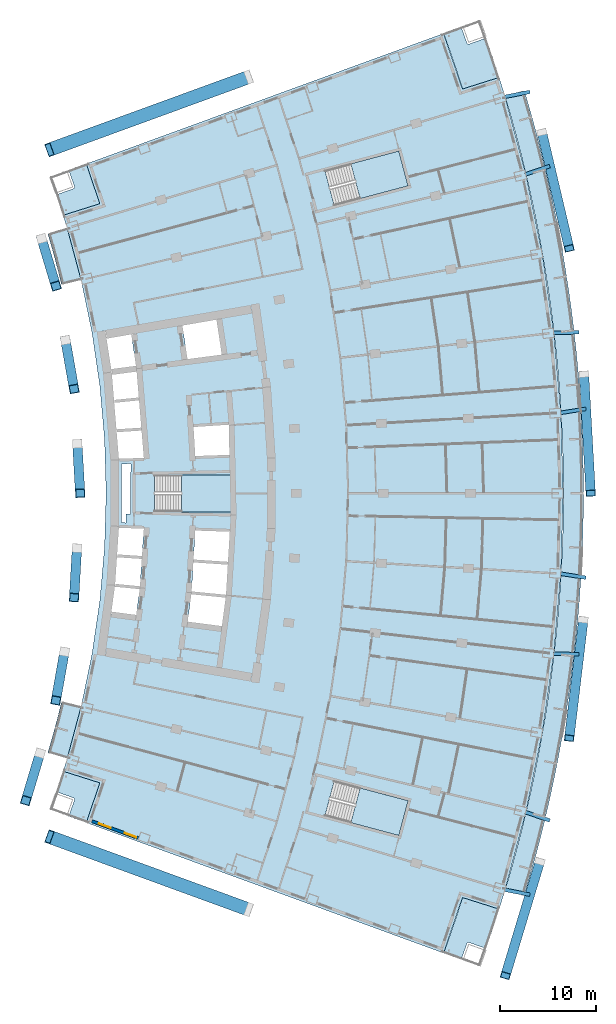
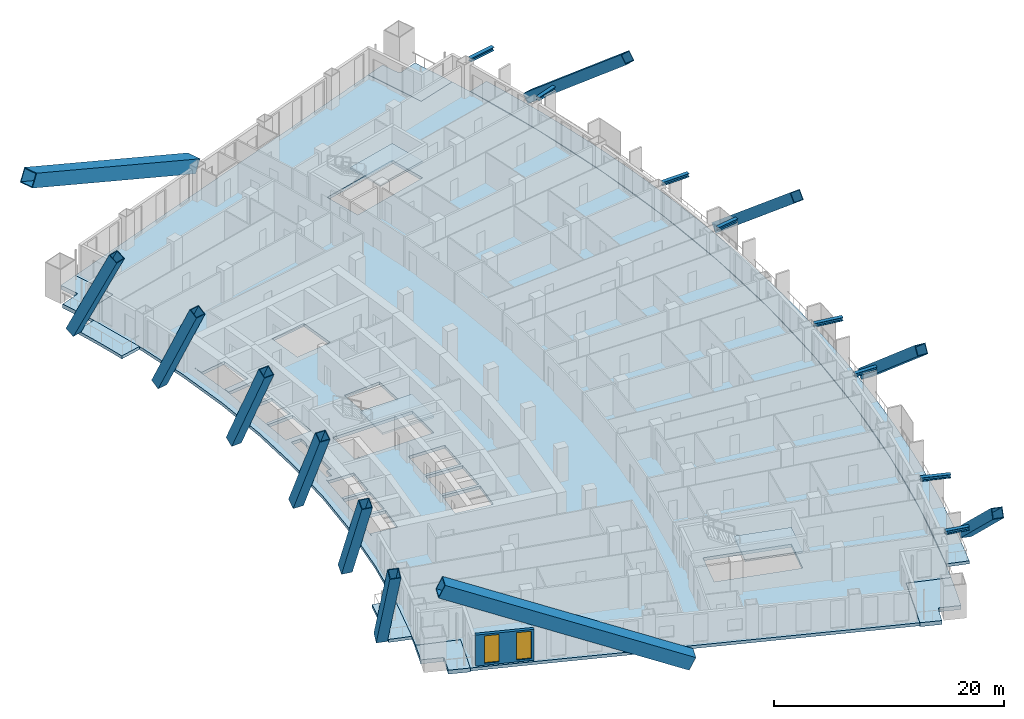
# One storey, part 12 of 25: 20 members, 11 slabs, 2 windows, 1 wall, 2 openings, 3 elements without a shape of their own.
"""IFC4 building model written with IfcOpenShell, lengths in metres."""

from ifc_helpers import new_model, si_unit, direction, frame, frame_2d, origin, origin_2d, place, context, subcontext, project, spatial, polyline, rectangle, hollow_rectangle, i_section, outline, extrude, material, layer, layer_set, material_profile, profile_set, type_object, element, fill, aggregate, save


model = new_model("IFC4")

# Units and contexts
model_context = context("Model", 3, precision=1e-05, world=origin(), true_north=direction((0.0, 1.0)))
body_context = subcontext(model_context, "Body", "Model", "MODEL_VIEW")
ifc_project = project(units=[si_unit("LENGTHUNIT", "METRE"), si_unit("AREAUNIT", "SQUARE_METRE"), si_unit("VOLUMEUNIT", "CUBIC_METRE"), si_unit("PLANEANGLEUNIT", "RADIAN"), si_unit("MASSUNIT", "GRAM", prefix="KILO")], contexts=[model_context])

# Site, building, storey
site_placement = place(None, origin())
site = spatial("IfcSite", under=ifc_project, at=site_placement, CompositionType="ELEMENT")
building_placement = place(site_placement, origin())
building = spatial("IfcBuilding", under=site, at=building_placement, Name="Alderwake Tower", CompositionType="ELEMENT")
storey_placement = place(building_placement, frame((0.0, 0.0, 42.800048828125)))
storey = spatial("IfcBuildingStorey", under=building, at=storey_placement, Name="L09", CompositionType="ELEMENT", Elevation=42.800048828125)

# Members
ifc_material_1 = material(Name="Steel ASTM A992 Grade 50", Category="steel")
ifc_material_profile_1 = material_profile(ifc_material_1, i_section(OverallWidth=0.3740234375, OverallDepth=0.372314453125, WebThickness=0.016357421875, FlangeThickness=0.026123046875, at=origin_2d()), Name="W14X132")
ifc_profile_set_1 = profile_set([ifc_material_profile_1], Name="Steel ASTM A992 Grade 50")
member_type_1 = type_object("IfcMemberType", Name="Brace node stub W14X132", PredefinedType="MEMBER", material=ifc_profile_set_1)
member_1_placement = place(storey_placement, frame((59.6591796875, 27.8046875, 3.393798828125), z_axis=(0.945492983094, -0.325642471001, 0.0), x_axis=(0.325642471001, 0.945492983094, 0.0)))
element("IfcMember", 1, at=member_1_placement, inside=storey, type_object=member_type_1, Name="Brace node stub BS.FR03-C5.464", PredefinedType="MEMBER", context=body_context, shape_type="SweptSolid", body=[
    extrude(i_section(OverallWidth=0.3740234375, OverallDepth=0.372314453125, WebThickness=0.016357421875, FlangeThickness=0.026123046875, at=origin_2d()), origin(), (0.0, 0.0, 1.0), 2.679443359375),
])
member_2_placement = place(storey_placement, frame((57.48828125, 19.725830078125, 3.393798828125), z_axis=(0.981364651517, -0.192154679236, 0.0), x_axis=(0.192154679236, 0.981364651517, 0.0)))
element("IfcMember", 2, at=member_2_placement, inside=storey, type_object=member_type_1, Name="Brace node stub BS.FR02-C5.464", PredefinedType="MEMBER", context=body_context, shape_type="SweptSolid", body=[
    extrude(i_section(OverallWidth=0.3740234375, OverallDepth=0.372314453125, WebThickness=0.016357421875, FlangeThickness=0.026123046875, at=origin_2d()), origin(), (0.0, 0.0, 1.0), 2.6796875),
])
for number, where, z_axis, x_axis, name in (
    (3, (63.3056640625, 52.62744140625, 3.393798828125), (0.98775927127, -0.155985967384, 0.0), (0.155985967384, 0.98775927127, 0.0), "Brace node stub BS.FR06-C5.464"),
    (4, (62.57470703125, 44.294189453125, 3.393798828125), (0.999830600697, -0.018405703212, 0.0), (0.018405703212, 0.999830600697, 0.0), "Brace node stub BS.FR05-C5.464"),
    (5, (62.57470703125, 77.705810546875, 3.393798828125), (0.999830600697, 0.018405703212, 0.0), (-0.018405703212, 0.999830600697, 0.0), "Brace node stub BS.FR09-C5.464"),
    (6, (63.3056640625, 69.37255859375, 3.393798828125), (0.98775927127, 0.155985967384, 0.0), (-0.155985967384, 0.98775927127, 0.0), "Brace node stub BS.FR08-C5.464"),
):
    element("IfcMember", number, at=place(storey_placement, frame(where, z_axis=z_axis, x_axis=x_axis)), inside=storey, type_object=member_type_1, Name=name, PredefinedType="MEMBER", context=body_context, shape_type="SweptSolid", body=[
        extrude(i_section(OverallWidth=0.3740234375, OverallDepth=0.372314453125, WebThickness=0.016357421875, FlangeThickness=0.026123046875, at=origin_2d()), origin(), (0.0, 0.0, 1.0), 2.679443359375),
    ])
member_3_placement = place(storey_placement, frame((57.48828125, 102.274169921875, 3.393798828125), z_axis=(0.981364651517, 0.192154679236, 0.0), x_axis=(-0.192154679236, 0.981364651517, 0.0)))
element("IfcMember", 7, at=member_3_placement, inside=storey, type_object=member_type_1, Name="Brace node stub BS.FR12-C5.464", PredefinedType="MEMBER", context=body_context, shape_type="SweptSolid", body=[
    extrude(i_section(OverallWidth=0.3740234375, OverallDepth=0.372314453125, WebThickness=0.016357421875, FlangeThickness=0.026123046875, at=origin_2d()), origin(), (0.0, 0.0, 1.0), 2.6796875),
])
member_4_placement = place(storey_placement, frame((59.6591796875, 94.1953125, 3.393798828125), z_axis=(0.945492983094, 0.325642471001, 0.0), x_axis=(-0.325642471001, 0.945492983094, 0.0)))
element("IfcMember", 8, at=member_4_placement, inside=storey, type_object=member_type_1, Name="Brace node stub BS.FR11-C5.464", PredefinedType="MEMBER", context=body_context, shape_type="SweptSolid", body=[
    extrude(i_section(OverallWidth=0.3740234375, OverallDepth=0.372314453125, WebThickness=0.016357421875, FlangeThickness=0.026123046875, at=origin_2d()), origin(), (0.0, 0.0, 1.0), 2.679443359375),
])
ifc_material_2 = material(Name="Steel ASTM A572 Grade 50", Category="steel")
ifc_material_profile_2 = material_profile(ifc_material_2, hollow_rectangle(XDim=1.39990234375, YDim=1.39990234375, WallThickness=0.080078125, at=origin_2d()), Name="BOX 1400X1400X80")
ifc_profile_set_2 = profile_set([ifc_material_profile_2], Name="Steel ASTM A572 Grade 50")
member_type_2 = type_object("IfcMemberType", Name="Mega brace end Z1", PredefinedType="BRACE", material=ifc_profile_set_2)
for number, where, z_axis, x_axis, name in (
    (9, (30.83740234375, 17.6669921875, 0.478515625), (-0.850961833002, 0.310619151597, 0.423532408955), (-0.342891801655, -0.939374905114, 0.0), "Brace BRS1.1.0B2"),
    (10, (30.83740234375, 104.3330078125, 0.478515625), (-0.850961833002, -0.310619151597, 0.423532408955), (0.342891801655, -0.939374905114, 0.0), "Brace BRN1.1.0B2"),
):
    element("IfcMember", number, at=place(storey_placement, frame(where, z_axis=z_axis, x_axis=x_axis)), inside=storey, type_object=member_type_2, Name=name, PredefinedType="BRACE", context=body_context, shape_type="SweptSolid", body=[
        extrude(hollow_rectangle(XDim=1.39990234375, YDim=1.39990234375, WallThickness=0.080078125, at=origin_2d()), origin(), (0.0, 0.0, 1.0), 24.3701171875),
    ])
ifc_material_3 = material(Name="Steel ASTM A572 Grade 50", Category="steel")
ifc_material_profile_3 = material_profile(ifc_material_3, hollow_rectangle(XDim=1.0, YDim=1.0, WallThickness=0.06005859375, at=origin_2d()), Name="BOX 1000X1000X60")
ifc_profile_set_3 = profile_set([ifc_material_profile_3], Name="Steel ASTM A572 Grade 50")
member_type_3 = type_object("IfcMemberType", Name="Mega brace face Z1", PredefinedType="BRACE", material=ifc_profile_set_3)
for number, where, z_axis, x_axis, name in (
    (11, (61.162841796875, 22.666259765625, 0.357177734375), (-0.22151185235, -0.732498565762, 0.643722261868), (0.957190141282, -0.289459899524, 0.0), "Brace BRF1.1.1B2"),
    (12, (65.680908203125, 47.829345703125, 0.357177734375), (-0.090582634546, -0.759876787427, 0.643725138742), (0.992969684325, -0.118368940227, 0.0), "Brace BRF1.1.4B2"),
    (13, (65.7490234375, 73.394775390625, 0.357177734375), (0.043101508049, -0.764043457453, 0.643723430619), (0.998412609553, 0.056322829163, 0.0), "Brace BRF1.1.7B2"),
    (14, (61.364990234375, 98.58154296875, 0.357177734375), (0.175461192437, -0.744871062671, 0.643723908166), (0.973359623188, 0.229283762941, 0.0), "Brace BRF1.1.10B2"),
):
    element("IfcMember", number, at=place(storey_placement, frame(where, z_axis=z_axis, x_axis=x_axis)), inside=storey, type_object=member_type_3, Name=name, PredefinedType="BRACE", context=body_context, shape_type="SweptSolid", body=[
        extrude(hollow_rectangle(XDim=1.0, YDim=1.0, WallThickness=0.06005859375, at=origin_2d()), origin(), (0.0, 0.0, 1.0), 16.22265625),
    ])
for number, where, z_axis, x_axis, name in (
    (15, (9.126708984375, 33.947998046875, 0.55810546875), (-0.129334744121, -0.430817758358, 0.893122938372), (0.95777155602, -0.287530253154, 0.0), "Brace BRR1.1.1B2"),
    (16, (11.669921875, 44.506591796875, 0.55810546875), (-0.078324280673, -0.442950525598, 0.893118211062), (0.984723942876, -0.17412281966, 0.0), "Brace BRR1.1.3B2"),
    (17, (12.966552734375, 55.289306640625, 0.55810546875), (-0.026228688042, -0.449059835118, 0.893116633149), (0.998298604604, -0.058308627548, 0.0), "Brace BRR1.1.5B2"),
    (18, (12.999267578125, 66.1494140625, 0.55810546875), (0.026228938793, -0.449042838487, 0.893125171504), (0.99829844368, 0.058311382639, 0.0), "Brace BRR1.1.7B2"),
    (19, (11.767578125, 76.939697265625, 0.55810546875), (0.078325019281, -0.44293341292, 0.89312663328), (0.984722507824, 0.174130935174, 0.0), "Brace BRR1.1.9B2"),
    (20, (9.288330078125, 87.513427734375, 0.55810546875), (0.129355677582, -0.430816572012, 0.893120478971), (0.957758521063, 0.2875736694, 0.0), "Brace BRR1.1.11B2"),
):
    element("IfcMember", number, at=place(storey_placement, frame(where, z_axis=z_axis, x_axis=x_axis)), inside=storey, type_object=member_type_3, Name=name, PredefinedType="BRACE", context=body_context, shape_type="SweptSolid", body=[
        extrude(hollow_rectangle(XDim=1.0, YDim=1.0, WallThickness=0.06005859375, at=origin_2d()), origin(), (0.0, 0.0, 1.0), 11.467529296875),
    ])

# Slabs
ifc_material_4 = material(Name="Concrete C50/60", Category="concrete")
ifc_layer_1 = layer(ifc_material_4, 0.320068359375)
ifc_layer_set_1 = layer_set([ifc_layer_1], Name="Balcony slab 320")
slab_type_1 = type_object("IfcSlabType", Name="Balcony slab 320", PredefinedType="FLOOR", material=ifc_layer_set_1)
slab_1_placement = place(storey_placement, frame((0.0, 0.0, -0.320068359375)))
element("IfcSlab", 21, at=slab_1_placement, inside=storey, type_object=slab_type_1, Name="Balcony BF02", PredefinedType="FLOOR", context=body_context, shape_type="SweptSolid", body=[
    extrude(outline(polyline([(59.54638671875, 19.10400390625), (60.142578125, 21.1435546875), (60.708984375, 23.19140625), (61.245361328125, 25.247314453125), (61.751708984375, 27.31103515625), (62.227783203125, 29.381591796875), (62.673828125, 31.458984375), (63.089599609375, 33.54296875), (63.474609375, 35.63232421875), (63.829345703125, 37.727294921875), (64.1533203125, 39.827392578125), (64.44677734375, 41.931640625), (64.709716796875, 44.040283203125), (64.94140625, 46.15234375), (65.142578125, 48.267578125), (65.312744140625, 50.385498046875), (65.4521484375, 52.505615234375), (65.560546875, 54.627685546875), (65.637939453125, 56.7509765625), (65.6845703125, 58.875244140625), (65.699951171875, 61.0), (65.6845703125, 63.124755859375), (65.637939453125, 65.2490234375), (65.560546875, 67.372314453125), (65.4521484375, 69.494384765625), (65.312744140625, 71.614501953125), (65.142578125, 73.732421875), (64.94140625, 75.84765625), (64.709716796875, 77.959716796875), (64.44677734375, 80.068359375), (64.1533203125, 82.172607421875), (63.829345703125, 84.272705078125), (63.474609375, 86.36767578125), (63.089599609375, 88.45703125), (62.673828125, 90.541015625), (62.227783203125, 92.618408203125), (61.751708984375, 94.68896484375), (61.245361328125, 96.752685546875), (60.708984375, 98.80859375), (60.142578125, 100.8564453125), (59.54638671875, 102.89599609375), (57.53515625, 102.2919921875), (58.122802734375, 100.281982421875), (58.680908203125, 98.263671875), (59.20947265625, 96.2373046875), (59.70849609375, 94.20361328125), (60.177978515625, 92.16259765625), (60.617431640625, 90.114990234375), (61.027099609375, 88.061279296875), (61.40673828125, 86.001953125), (61.75634765625, 83.937255859375), (62.07568359375, 81.867431640625), (62.364990234375, 79.79345703125), (62.623779296875, 77.71533203125), (62.852294921875, 75.6337890625), (63.050537109375, 73.549072265625), (63.218505859375, 71.461669921875), (63.355712890625, 69.371826171875), (63.462646484375, 67.280517578125), (63.538818359375, 65.187744140625), (63.584716796875, 63.093994140625), (63.60009765625, 61.0), (63.584716796875, 58.906005859375), (63.538818359375, 56.812255859375), (63.462646484375, 54.719482421875), (63.355712890625, 52.628173828125), (63.218505859375, 50.538330078125), (63.050537109375, 48.450927734375), (62.852294921875, 46.3662109375), (62.623779296875, 44.28466796875), (62.364990234375, 42.20654296875), (62.07568359375, 40.132568359375), (61.75634765625, 38.062744140625), (61.40673828125, 35.998046875), (61.027099609375, 33.938720703125), (60.617431640625, 31.885009765625), (60.177978515625, 29.83740234375), (59.70849609375, 27.79638671875), (59.20947265625, 25.7626953125), (58.680908203125, 23.736328125), (58.122802734375, 21.718017578125), (57.53515625, 19.7080078125), (59.54638671875, 19.10400390625)])), origin(), (0.0, 0.0, 1.0), 0.320068359375),
])
slab_2_placement = place(storey_placement, frame((0.0, 0.0, -0.320068359375)))
element("IfcSlab", 22, at=slab_2_placement, inside=storey, type_object=slab_type_1, Name="Balcony BR02", PredefinedType="FLOOR", context=body_context, shape_type="SweptSolid", body=[
    extrude(outline(polyline([(9.93408203125, 33.999267578125), (11.945556640625, 33.395263671875), (13.3984375, 38.802734375), (11.35546875, 39.288330078125), (11.029052734375, 37.95849609375), (10.683349609375, 36.63330078125), (10.318359375, 35.3134765625), (9.93408203125, 33.999267578125)])), origin(), (0.0, 0.0, 1.0), 0.320068359375),
])
slab_3_placement = place(storey_placement, frame((0.0, 0.0, -0.320068359375)))
element("IfcSlab", 23, at=slab_3_placement, inside=storey, type_object=slab_type_1, Name="Balcony BR11", PredefinedType="FLOOR", context=body_context, shape_type="SweptSolid", body=[
    extrude(outline(polyline([(11.35546875, 82.711669921875), (13.3984375, 83.197265625), (11.945556640625, 88.604736328125), (9.93408203125, 88.000732421875), (10.318359375, 86.6865234375), (10.683349609375, 85.36669921875), (11.029052734375, 84.04150390625), (11.35546875, 82.711669921875)])), origin(), (0.0, 0.0, 1.0), 0.320068359375),
])
ifc_material_5 = material(Name="Concrete C50/60", Category="concrete")
ifc_layer_2 = layer(ifc_material_5, 0.320068359375)
ifc_layer_set_2 = layer_set([ifc_layer_2], Name="Concrete C50/60 post-tensioned flat plate 320")
slab_type_2 = type_object("IfcSlabType", Name="Concrete C50/60 post-tensioned flat plate 320", PredefinedType="FLOOR", material=ifc_layer_set_2)
slab_4_placement = place(storey_placement, frame((0.0, 0.0, -0.320068359375)))
element("IfcSlab", 24, at=slab_4_placement, inside=storey, type_object=slab_type_2, Name="Floor slab L09", PredefinedType="FLOOR", context=body_context, shape_type="SweptSolid", body=[
    extrude(outline(polyline([(11.533203125, 32.057373046875), (11.945556640625, 33.395263671875), (13.3984375, 38.802734375), (14.53369140625, 44.28564453125), (15.347412109375, 49.825439453125), (15.836669921875, 55.4033203125), (16.0, 61.0), (15.836669921875, 66.5966796875), (15.347412109375, 72.174560546875), (14.53369140625, 77.71435546875), (13.3984375, 83.197265625), (11.945556640625, 88.604736328125), (11.533203125, 89.942626953125), (15.34716796875, 91.1484375), (13.937255859375, 95.289794921875), (51.136474609375, 108.868408203125), (53.1044921875, 103.08740234375), (56.91845703125, 104.293212890625), (57.53515625, 102.2919921875), (59.70849609375, 94.20361328125), (61.40673828125, 86.001953125), (62.623779296875, 77.71533203125), (63.355712890625, 69.371826171875), (63.60009765625, 61.0), (63.355712890625, 52.628173828125), (62.623779296875, 44.28466796875), (61.40673828125, 35.998046875), (59.70849609375, 27.79638671875), (57.53515625, 19.7080078125), (56.91845703125, 17.706787109375), (53.1044921875, 18.91259765625), (51.136474609375, 13.131591796875), (13.937255859375, 26.710205078125), (15.34716796875, 30.8515625), (11.533203125, 32.057373046875)]), holes=[polyline([(16.943359375, 51.26953125), (16.9580078125, 51.4189453125), (16.972900390625, 51.568115234375), (19.525146484375, 51.31591796875), (19.71630859375, 54.164794921875), (17.153564453125, 54.33642578125), (17.16357421875, 54.486083984375), (17.173583984375, 54.6357421875), (19.736083984375, 54.464111328125), (19.92724609375, 57.312744140625), (17.364013671875, 57.403564453125), (17.369140625, 57.553466796875), (17.33935546875, 57.554443359375), (17.1337890625, 54.48828125), (16.927978515625, 51.421875), (16.92822265625, 51.421875), (16.50927734375, 48.377197265625), (16.5390625, 48.373291015625), (16.577880859375, 48.6708984375), (19.138671875, 48.3359375), (19.495361328125, 51.017333984375), (16.943359375, 51.26953125)]), polyline([(29.0, 62.875), (21.050048828125, 62.875), (21.050048828125, 59.125), (29.0, 59.125), (29.0, 62.875)]), polyline([(19.688720703125, 67.53271484375), (17.12548828125, 67.361083984375), (17.115478515625, 67.510498046875), (17.10546875, 67.660400390625), (19.6640625, 67.831787109375), (19.42822265625, 70.674560546875), (16.87646484375, 70.42236328125), (16.86181640625, 70.571533203125), (16.846923828125, 70.720947265625), (19.403564453125, 70.973388671875), (19.179931640625, 73.66943359375), (16.646484375, 73.338134765625), (16.607666015625, 73.635498046875), (16.56884765625, 73.93310546875), (19.111083984375, 74.265625), (18.6240234375, 77.531982421875), (18.919921875, 77.575927734375), (18.916748046875, 77.593994140625), (16.082275390625, 77.10546875), (15.9345703125, 77.9619140625), (15.634765625, 77.908935546875), (15.63525390625, 77.9052734375), (15.9140625, 77.9482421875), (16.57763671875, 73.631591796875), (16.578369140625, 73.626220703125), (16.831787109375, 70.568603515625), (17.085693359375, 67.508544921875), (17.33935546875, 64.4482421875), (17.33935546875, 64.445556640625), (17.369384765625, 64.446533203125), (17.364013671875, 64.596435546875), (19.9248046875, 64.687255859375), (19.688720703125, 67.53271484375)]), polyline([(47.436279296875, 28.996826171875), (39.754150390625, 31.043212890625), (38.7890625, 27.41943359375), (46.47119140625, 25.373291015625), (47.436279296875, 28.996826171875)]), polyline([(28.05419921875, 47.169921875), (28.4482421875, 50.1328125), (24.87451171875, 50.48583984375), (24.878662109375, 50.52783203125), (24.875, 50.5283203125), (24.48974609375, 47.635986328125), (28.05419921875, 47.169921875)]), polyline([(25.080810546875, 53.804931640625), (24.89501953125, 50.731201171875), (24.898681640625, 50.730712890625), (24.904052734375, 50.784423828125), (28.484375, 50.4306640625), (28.669921875, 53.564453125), (25.080810546875, 53.804931640625)]), polyline([(28.873291015625, 56.99609375), (25.281494140625, 57.123291015625), (25.09912109375, 54.1044921875), (28.687744140625, 53.864013671875), (28.873291015625, 56.99609375)]), polyline([(28.769287109375, 68.0869140625), (28.764892578125, 68.141357421875), (25.101318359375, 67.895751953125), (25.2822265625, 64.876708984375), (28.83740234375, 65.002685546875), (28.769287109375, 68.0869140625)]), polyline([(27.490966796875, 79.072021484375), (23.932373046875, 78.45849609375), (23.93310546875, 78.454833984375), (23.9443359375, 78.45654296875), (24.4697265625, 74.972412109375), (24.36474609375, 74.95654296875), (24.365478515625, 74.952880859375), (28.0400390625, 75.433349609375), (27.490966796875, 79.072021484375)]), polyline([(46.47119140625, 96.626708984375), (38.7890625, 94.58056640625), (39.754150390625, 90.956787109375), (47.436279296875, 93.003173828125), (46.47119140625, 96.626708984375)]), polyline([(17.58935546875, 64.05419921875), (17.58935546875, 57.94580078125), (18.065673828125, 57.928955078125), (18.090576171875, 58.84326171875), (18.544189453125, 58.8310546875), (18.529296875, 58.8681640625), (18.5234375, 58.89208984375), (18.5185546875, 58.94091796875), (18.5185546875, 63.060302734375), (18.5234375, 63.109130859375), (18.53759765625, 63.156005859375), (18.560791015625, 63.19921875), (18.588623046875, 63.233642578125), (18.565185546875, 64.088623046875), (17.58935546875, 64.05419921875)])]), origin(), (0.0, 0.0, 1.0), 0.320068359375),
])

# Stair, slab
ifc_material_6 = material(Name="Concrete C40/50", Category="concrete")
stair_type = type_object("IfcStairType", Name="Core exit stair", PredefinedType="HALF_TURN_STAIR", material=ifc_material_6)
stair_1_placement = place(storey_placement, origin())
stair_1 = element("IfcStair", 25, at=stair_1_placement, inside=storey, type_object=stair_type, Name="L09 Exit Stair B", PredefinedType="HALF_TURN_STAIR")
ifc_material_7 = material(Name="Concrete C40/50", Category="concrete")
ifc_layer_3 = layer(ifc_material_7, 0.199951171875)
ifc_layer_set_3 = layer_set([ifc_layer_3], Name="Core stair landing 200")
slab_type_3 = type_object("IfcSlabType", Name="Core stair landing 200", PredefinedType="LANDING", material=ifc_layer_set_3)
slab_5_placement = place(storey_placement, frame((0.0, 0.0, 1.599853515625)))
slab_5 = element("IfcSlab", 26, at=slab_5_placement, type_object=slab_type_3, Name="ST-B landing 1", PredefinedType="LANDING", context=body_context, shape_type="SweptSolid", body=[
    extrude(outline(polyline([(23.830078125, 59.074951171875), (29.0, 59.074951171875), (29.0, 62.925048828125), (23.830078125, 62.925048828125), (23.830078125, 59.074951171875)])), origin(), (0.0, 0.0, 1.0), 0.2001953125),
])
aggregate(stair_1, [slab_5])

stair_2_placement = place(storey_placement, origin())
stair_2 = element("IfcStair", 27, at=stair_2_placement, inside=storey, type_object=stair_type, Name="L09 Exit Stair A", PredefinedType="HALF_TURN_STAIR")
slab_6_placement = place(storey_placement, frame((0.0, 0.0, 1.599853515625)))
slab_6 = element("IfcSlab", 28, at=slab_6_placement, type_object=slab_type_3, Name="ST-A landing 1", PredefinedType="LANDING", context=body_context, shape_type="SweptSolid", body=[
    extrude(outline(polyline([(42.440673828125, 91.67236328125), (47.436279296875, 93.003173828125), (46.47119140625, 96.626708984375), (41.475341796875, 95.296142578125), (42.440673828125, 91.67236328125)])), origin(), (0.0, 0.0, 1.0), 0.2001953125),
])
aggregate(stair_2, [slab_6])

stair_3_placement = place(storey_placement, origin())
stair_3 = element("IfcStair", 29, at=stair_3_placement, inside=storey, type_object=stair_type, Name="L09 Exit Stair C", PredefinedType="HALF_TURN_STAIR")
slab_7_placement = place(storey_placement, frame((0.0, 0.0, 1.599853515625)))
slab_7 = element("IfcSlab", 30, at=slab_7_placement, type_object=slab_type_3, Name="ST-C landing 1", PredefinedType="LANDING", context=body_context, shape_type="SweptSolid", body=[
    extrude(outline(polyline([(41.475341796875, 26.703857421875), (46.47119140625, 25.373291015625), (47.436279296875, 28.996826171875), (42.4404296875, 30.32763671875), (41.475341796875, 26.703857421875)])), origin(), (0.0, 0.0, 1.0), 0.2001953125),
])
aggregate(stair_3, [slab_7])

# Slabs
ifc_material_8 = material(Name="Concrete C50/60", Category="concrete")
ifc_layer_4 = layer(ifc_material_8, 0.419921875)
ifc_layer_set_4 = layer_set([ifc_layer_4], Name="Terrace slab 420")
slab_type_4 = type_object("IfcSlabType", Name="Terrace slab 420", PredefinedType="FLOOR", material=ifc_layer_set_4)
slab_8_placement = place(storey_placement, frame((0.0, 0.0, -0.420166015625)))
element("IfcSlab", 31, at=slab_8_placement, inside=storey, type_object=slab_type_4, Name="Corner terrace FS", PredefinedType="FLOOR", context=body_context, shape_type="SweptSolid", body=[
    extrude(outline(polyline([(55.59765625, 13.732177734375), (55.55029296875, 13.60009765625), (53.76611328125, 14.23876953125), (53.751953125, 14.242919921875), (53.737548828125, 14.245849609375), (53.722900390625, 14.247314453125), (53.708251953125, 14.247314453125), (53.693603515625, 14.245849609375), (53.67919921875, 14.242919921875), (53.6650390625, 14.23876953125), (53.6513671875, 14.23291015625), (53.638427734375, 14.22607421875), (53.626220703125, 14.218017578125), (53.61474609375, 14.20849609375), (53.6044921875, 14.1982421875), (53.59521484375, 14.186767578125), (53.5869140625, 14.174560546875), (53.580078125, 14.16162109375), (53.57421875, 14.14794921875), (52.970947265625, 12.4619140625), (51.136474609375, 13.131591796875), (51.820556640625, 15.048828125), (52.4765625, 16.97607421875), (53.1044921875, 18.91259765625), (56.91845703125, 17.706787109375), (56.2724609375, 15.714599609375), (55.59765625, 13.732177734375)])), origin(), (0.0, 0.0, 1.0), 0.420166015625),
])
slab_9_placement = place(storey_placement, frame((0.0, 0.0, -0.420166015625)))
element("IfcSlab", 32, at=slab_9_placement, inside=storey, type_object=slab_type_4, Name="Corner terrace RS", PredefinedType="FLOOR", context=body_context, shape_type="SweptSolid", body=[
    extrude(outline(polyline([(13.937255859375, 26.710205078125), (12.10888671875, 27.377685546875), (12.114013671875, 27.39013671875), (12.71533203125, 29.086669921875), (12.7197265625, 29.100830078125), (12.722412109375, 29.115234375), (12.723876953125, 29.1298828125), (12.723876953125, 29.14453125), (12.722412109375, 29.1591796875), (12.719482421875, 29.173583984375), (12.715087890625, 29.187744140625), (12.70947265625, 29.201416015625), (12.702392578125, 29.21435546875), (12.6943359375, 29.2265625), (12.684814453125, 29.23779296875), (12.674560546875, 29.248291015625), (12.6630859375, 29.257568359375), (12.65087890625, 29.265625), (12.6376953125, 29.272705078125), (12.624267578125, 29.2783203125), (10.82568359375, 29.915771484375), (11.101318359375, 30.7255859375), (11.533203125, 32.057373046875), (15.34716796875, 30.8515625), (13.937255859375, 26.710205078125)])), origin(), (0.0, 0.0, 1.0), 0.420166015625),
])
slab_10_placement = place(storey_placement, frame((0.0, 0.0, -0.420166015625)))
element("IfcSlab", 33, at=slab_10_placement, inside=storey, type_object=slab_type_4, Name="Corner terrace FN", PredefinedType="FLOOR", context=body_context, shape_type="SweptSolid", body=[
    extrude(outline(polyline([(55.59765625, 108.267822265625), (56.2724609375, 106.285400390625), (56.91845703125, 104.293212890625), (53.1044921875, 103.08740234375), (52.4765625, 105.02392578125), (51.820556640625, 106.951171875), (51.136474609375, 108.868408203125), (52.970947265625, 109.5380859375), (53.57421875, 107.85205078125), (53.580078125, 107.83837890625), (53.5869140625, 107.825439453125), (53.59521484375, 107.813232421875), (53.6044921875, 107.8017578125), (53.61474609375, 107.79150390625), (53.626220703125, 107.781982421875), (53.638427734375, 107.77392578125), (53.6513671875, 107.76708984375), (53.6650390625, 107.76123046875), (53.67919921875, 107.757080078125), (53.693603515625, 107.754150390625), (53.708251953125, 107.752685546875), (53.722900390625, 107.752685546875), (53.737548828125, 107.754150390625), (53.751953125, 107.757080078125), (53.76611328125, 107.76123046875), (55.55029296875, 108.39990234375), (55.59765625, 108.267822265625)])), origin(), (0.0, 0.0, 1.0), 0.420166015625),
])
slab_11_placement = place(storey_placement, frame((0.0, 0.0, -0.420166015625)))
element("IfcSlab", 34, at=slab_11_placement, inside=storey, type_object=slab_type_4, Name="Corner terrace RN", PredefinedType="FLOOR", context=body_context, shape_type="SweptSolid", body=[
    extrude(outline(polyline([(10.82568359375, 92.084228515625), (12.624267578125, 92.7216796875), (12.6376953125, 92.727294921875), (12.65087890625, 92.734375), (12.6630859375, 92.742431640625), (12.674560546875, 92.751708984375), (12.684814453125, 92.76220703125), (12.6943359375, 92.7734375), (12.702392578125, 92.78564453125), (12.70947265625, 92.798583984375), (12.715087890625, 92.812255859375), (12.719482421875, 92.826416015625), (12.722412109375, 92.8408203125), (12.723876953125, 92.85546875), (12.723876953125, 92.8701171875), (12.722412109375, 92.884765625), (12.7197265625, 92.899169921875), (12.71533203125, 92.913330078125), (12.114013671875, 94.60986328125), (12.10888671875, 94.622314453125), (13.937255859375, 95.289794921875), (15.34716796875, 91.1484375), (11.533203125, 89.942626953125), (11.101318359375, 91.2744140625), (10.82568359375, 92.084228515625)])), origin(), (0.0, 0.0, 1.0), 0.420166015625),
])

# Wall, openings, windows
ifc_material_9 = material(Name="Bronze metal cladding on lightweight framing")
ifc_layer_5 = layer(ifc_material_9, 0.300048828125)
ifc_layer_set_5 = layer_set([ifc_layer_5], Name="External wall EW2 bronze metal cladding")
wall_type = type_object("IfcWallType", Name="External wall EW2 bronze metal cladding", PredefinedType="SOLIDWALL", material=ifc_layer_set_5)
wall_placement = place(storey_placement, frame((14.523681640625, 26.86865234375, 0.0), z_axis=(0.0, 0.0, 1.0), x_axis=(0.939371865822, -0.342900127883, 0.0)))
wall = element("IfcWall", 35, at=wall_placement, inside=storey, type_object=wall_type, Name="External wall 4", PredefinedType="SOLIDWALL", context=body_context, shape_type="SweptSolid", body=[
    extrude(rectangle(XDim=5.149169921875, YDim=0.300048828125, at=frame_2d((2.57470703125, 0.0))), origin(), (0.0, 0.0, 1.0), 3.280029296875),
])
opening_1_placement = place(wall_placement, frame((0.775390625, 0.0, 0.199951171875)))
opening_1 = element("IfcOpeningElement", 36, at=opening_1_placement, cuts=wall, Name="Opening W1", PredefinedType="OPENING", context=body_context, shape_type="SweptSolid", body=[
    extrude(rectangle(XDim=1.300048828125, YDim=2.89990234375, at=frame_2d((0.64990234375, 1.449951171875))), frame((0.0, 0.159912109375, 0.0), z_axis=(0.0, -1.0, 0.0), x_axis=(1.0, 0.0, 0.0)), (0.0, 0.0, 1.0), 0.320068359375),
])
opening_2_placement = place(wall_placement, frame((3.626220703125, 0.0, 0.199951171875)))
opening_2 = element("IfcOpeningElement", 37, at=opening_2_placement, cuts=wall, Name="Opening W1", PredefinedType="OPENING", context=body_context, shape_type="SweptSolid", body=[
    extrude(rectangle(XDim=1.300048828125, YDim=2.89990234375, at=frame_2d((0.64990234375, 1.449951171875))), frame((0.0, 0.159912109375, 0.0), z_axis=(0.0, -1.0, 0.0), x_axis=(1.0, 0.0, 0.0)), (0.0, 0.0, 1.0), 0.320068359375),
])
ifc_material_10 = material(Name="Bronze tinted glass in aluminium frame", Category="aluminium")
window_type = type_object("IfcWindowType", Name="Window W1 tall fixed and vent", PartitioningType="DOUBLE_PANEL_VERTICAL", PredefinedType="WINDOW", material=ifc_material_10)
window_1_placement = place(opening_1_placement, origin())
window_1 = element("IfcWindow", 38, at=window_1_placement, inside=storey, type_object=window_type, Name="Window W1 tall fixed and vent", OverallHeight=2.89990234375, OverallWidth=1.300048828125, PartitioningType="DOUBLE_PANEL_VERTICAL", PredefinedType="WINDOW", context=body_context, shape_type="SweptSolid", body=[
    extrude(rectangle(XDim=1.300048828125, YDim=2.89990234375, at=frame_2d((0.64990234375, 1.449951171875))), frame((0.0, 0.030029296875, 0.0), z_axis=(0.0, -1.0, 0.0), x_axis=(1.0, 0.0, 0.0)), (0.0, 0.0, 1.0), 0.06005859375),
])
fill(opening_1, window_1)
window_2_placement = place(opening_2_placement, origin())
window_2 = element("IfcWindow", 39, at=window_2_placement, inside=storey, type_object=window_type, Name="Window W1 tall fixed and vent", OverallHeight=2.89990234375, OverallWidth=1.300048828125, PartitioningType="DOUBLE_PANEL_VERTICAL", PredefinedType="WINDOW", context=body_context, shape_type="SweptSolid", body=[
    extrude(rectangle(XDim=1.300048828125, YDim=2.89990234375, at=frame_2d((0.64990234375, 1.449951171875))), frame((0.0, 0.030029296875, 0.0), z_axis=(0.0, -1.0, 0.0), x_axis=(1.0, 0.0, 0.0)), (0.0, 0.0, 1.0), 0.06005859375),
])
fill(opening_2, window_2)

save(model, "model.ifc")
